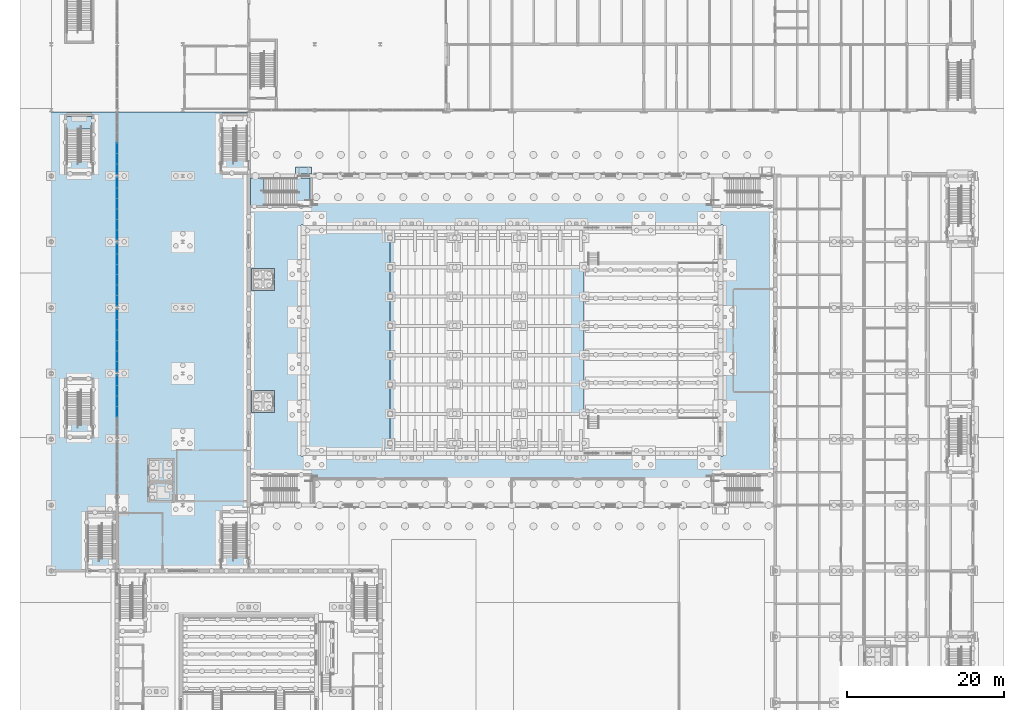
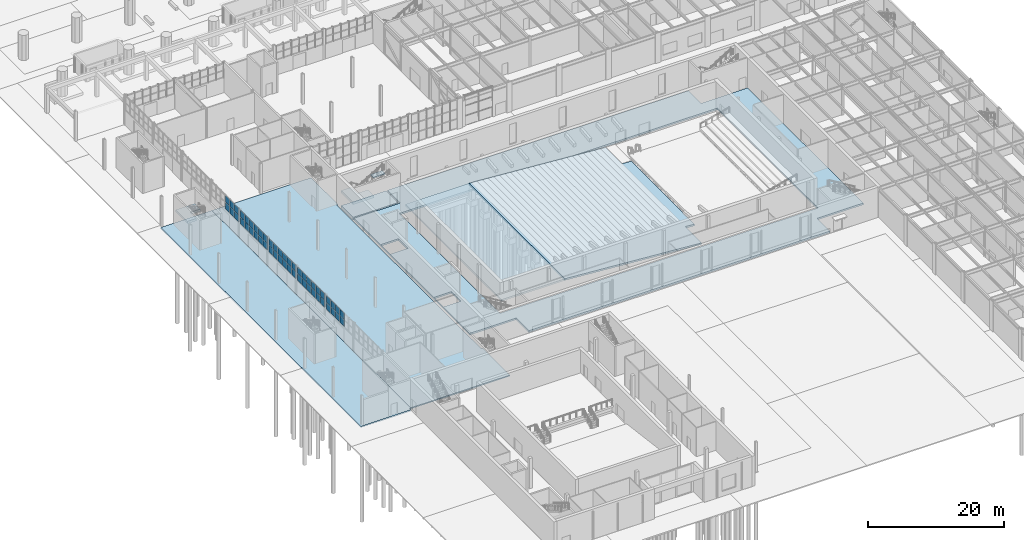
# One storey, part 49 of 127: 50 plates, 9 slabs, 7 elements without a shape of their own.
"""IFC4 building model written with IfcOpenShell, lengths in metres."""

from ifc_helpers import new_model, si_unit, direction, frame, origin, origin_2d, place, context, subcontext, project, spatial, polyline, rectangle, outline, extrude, material, layer, layer_set, type_object, element, aggregate, save


model = new_model("IFC4")

# Units and contexts
model_context = context("Model", 3, precision=1e-05, world=origin(), true_north=direction((0.0, 1.0)))
body_context = subcontext(model_context, "Body", "Model", "MODEL_VIEW")
ifc_project = project(units=[si_unit("LENGTHUNIT", "METRE"), si_unit("AREAUNIT", "SQUARE_METRE"), si_unit("VOLUMEUNIT", "CUBIC_METRE"), si_unit("PLANEANGLEUNIT", "RADIAN"), si_unit("MASSUNIT", "GRAM", prefix="KILO")], contexts=[model_context])

# Site, building, storey
site_placement = place(None, origin())
site = spatial("IfcSite", under=ifc_project, at=site_placement, CompositionType="ELEMENT")
building_placement = place(site_placement, origin())
building = spatial("IfcBuilding", under=site, at=building_placement, Name="Ljudholm Concert House", CompositionType="ELEMENT")
storey_placement = place(building_placement, origin())
storey = spatial("IfcBuildingStorey", under=building, at=storey_placement, Name="L00", CompositionType="ELEMENT", Elevation=0.0)

# Slab
ifc_material_1 = material(Name="Aluminium extrusion with warm-tone PVDF finish", Category="aluminium")
ifc_layer_1 = layer(ifc_material_1, 0.1201171875)
ifc_layer_set_1 = layer_set([ifc_layer_1], Name="Aluminium extrusion with warm-tone PVDF finish")
slab_type_1 = type_object("IfcSlabType", Name="CANOPY SOFFIT SLAB 120", PredefinedType="ROOF", material=ifc_layer_set_1)
slab_1_placement = place(storey_placement, frame((0.0, 0.0, 2.60009765625)))
element("IfcSlab", 1, at=slab_1_placement, inside=storey, type_object=slab_type_1, Name="Exit canopy lip", PredefinedType="ROOF", context=body_context, shape_type="SweptSolid", body=[
    extrude(outline(polyline([(35.199951171875, 96.64990234375), (37.199951171875, 96.64990234375), (37.199951171875, 97.550048828125), (35.199951171875, 97.550048828125), (35.199951171875, 96.64990234375)])), origin(), (0.0, 0.0, 1.0), 0.119873046875),
])

# Curtain wall, plates
ifc_material_2 = material(Name="Aluminium curtain wall with impact-rated laminated glass", Category="aluminium")
curtain_wall_type = type_object("IfcCurtainWallType", Name="CURTAIN WALL 1400", PredefinedType="NOTDEFINED", material=ifc_material_2)
curtain_wall_1_placement = place(storey_placement, origin())
curtain_wall_1 = element("IfcCurtainWall", 2, at=curtain_wall_1_placement, inside=storey, type_object=curtain_wall_type, Name="Foyer curtain wall", PredefinedType="NOTDEFINED")
ifc_material_3 = material(Name="Impact-rated laminated glass", Category="glass")
ifc_layer_2 = layer(ifc_material_3, 0.028076171875)
ifc_layer_set_2 = layer_set([ifc_layer_2], Name="Impact-rated laminated glass")
plate_type = type_object("IfcPlateType", Name="CURTAIN PANEL 28", PredefinedType="CURTAIN_PANEL", material=ifc_layer_set_2)
plate_1_placement = place(storey_placement, frame((12.39990234375, 66.3310546875, 2.760009765625), z_axis=(0.0, 0.0, 1.0), x_axis=(0.0, 1.0, 0.0)))
plate_1 = element("IfcPlate", 3, at=plate_1_placement, type_object=plate_type, Name="Curtain wall panel", PredefinedType="CURTAIN_PANEL", context=body_context, shape_type="SweptSolid", body=[
    extrude(rectangle(XDim=1.27783203125, YDim=0.028076171875, at=origin_2d()), origin(), (0.0, 0.0, 1.0), 1.169921875),
])
plate_2_placement = place(storey_placement, frame((12.39990234375, 66.3310546875, 3.989990234375), z_axis=(0.0, 0.0, 1.0), x_axis=(0.0, 1.0, 0.0)))
plate_2 = element("IfcPlate", 4, at=plate_2_placement, type_object=plate_type, Name="Curtain wall panel", PredefinedType="CURTAIN_PANEL", context=body_context, shape_type="SweptSolid", body=[
    extrude(rectangle(XDim=1.27783203125, YDim=0.028076171875, at=origin_2d()), origin(), (0.0, 0.0, 1.0), 1.169921875),
])
plate_3_placement = place(storey_placement, frame((12.39990234375, 67.6689453125, 2.760009765625), z_axis=(0.0, 0.0, 1.0), x_axis=(0.0, 1.0, 0.0)))
plate_3 = element("IfcPlate", 5, at=plate_3_placement, type_object=plate_type, Name="Curtain wall panel", PredefinedType="CURTAIN_PANEL", context=body_context, shape_type="SweptSolid", body=[
    extrude(rectangle(XDim=1.27783203125, YDim=0.028076171875, at=origin_2d()), origin(), (0.0, 0.0, 1.0), 1.169921875),
])
plate_4_placement = place(storey_placement, frame((12.39990234375, 67.6689453125, 3.989990234375), z_axis=(0.0, 0.0, 1.0), x_axis=(0.0, 1.0, 0.0)))
plate_4 = element("IfcPlate", 6, at=plate_4_placement, type_object=plate_type, Name="Curtain wall panel", PredefinedType="CURTAIN_PANEL", context=body_context, shape_type="SweptSolid", body=[
    extrude(rectangle(XDim=1.27783203125, YDim=0.028076171875, at=origin_2d()), origin(), (0.0, 0.0, 1.0), 1.169921875),
])
plate_5_placement = place(storey_placement, frame((12.39990234375, 69.006591796875, 2.760009765625), z_axis=(0.0, 0.0, 1.0), x_axis=(0.0, 1.0, 0.0)))
plate_5 = element("IfcPlate", 7, at=plate_5_placement, type_object=plate_type, Name="Curtain wall panel", PredefinedType="CURTAIN_PANEL", context=body_context, shape_type="SweptSolid", body=[
    extrude(rectangle(XDim=1.27783203125, YDim=0.028076171875, at=origin_2d()), origin(), (0.0, 0.0, 1.0), 1.169921875),
])
plate_6_placement = place(storey_placement, frame((12.39990234375, 69.006591796875, 3.989990234375), z_axis=(0.0, 0.0, 1.0), x_axis=(0.0, 1.0, 0.0)))
plate_6 = element("IfcPlate", 8, at=plate_6_placement, type_object=plate_type, Name="Curtain wall panel", PredefinedType="CURTAIN_PANEL", context=body_context, shape_type="SweptSolid", body=[
    extrude(rectangle(XDim=1.27783203125, YDim=0.028076171875, at=origin_2d()), origin(), (0.0, 0.0, 1.0), 1.169921875),
])
plate_7_placement = place(storey_placement, frame((12.39990234375, 70.329345703125, 2.760009765625), z_axis=(0.0, 0.0, 1.0), x_axis=(0.0, 1.0, 0.0)))
plate_7 = element("IfcPlate", 9, at=plate_7_placement, type_object=plate_type, Name="Curtain wall panel", PredefinedType="CURTAIN_PANEL", context=body_context, shape_type="SweptSolid", body=[
    extrude(rectangle(XDim=1.247802734375, YDim=0.028076171875, at=origin_2d()), origin(), (0.0, 0.0, 1.0), 1.169921875),
])
plate_8_placement = place(storey_placement, frame((12.39990234375, 70.329345703125, 3.989990234375), z_axis=(0.0, 0.0, 1.0), x_axis=(0.0, 1.0, 0.0)))
plate_8 = element("IfcPlate", 10, at=plate_8_placement, type_object=plate_type, Name="Curtain wall panel", PredefinedType="CURTAIN_PANEL", context=body_context, shape_type="SweptSolid", body=[
    extrude(rectangle(XDim=1.247802734375, YDim=0.028076171875, at=origin_2d()), origin(), (0.0, 0.0, 1.0), 1.169921875),
])
aggregate(curtain_wall_1, [plate_1, plate_2, plate_3, plate_4, plate_5, plate_6, plate_7, plate_8])

curtain_wall_2_placement = place(storey_placement, origin())
curtain_wall_2 = element("IfcCurtainWall", 11, at=curtain_wall_2_placement, inside=storey, type_object=curtain_wall_type, Name="Foyer curtain wall", PredefinedType="NOTDEFINED")
plate_9_placement = place(storey_placement, frame((12.39990234375, 72.070556640625, 2.760009765625), z_axis=(0.0, 0.0, 1.0), x_axis=(0.0, 1.0, 0.0)))
plate_9 = element("IfcPlate", 12, at=plate_9_placement, type_object=plate_type, Name="Curtain wall panel", PredefinedType="CURTAIN_PANEL", context=body_context, shape_type="SweptSolid", body=[
    extrude(rectangle(XDim=1.247802734375, YDim=0.028076171875, at=origin_2d()), origin(), (0.0, 0.0, 1.0), 1.169921875),
])
plate_10_placement = place(storey_placement, frame((12.39990234375, 72.070556640625, 3.989990234375), z_axis=(0.0, 0.0, 1.0), x_axis=(0.0, 1.0, 0.0)))
plate_10 = element("IfcPlate", 13, at=plate_10_placement, type_object=plate_type, Name="Curtain wall panel", PredefinedType="CURTAIN_PANEL", context=body_context, shape_type="SweptSolid", body=[
    extrude(rectangle(XDim=1.247802734375, YDim=0.028076171875, at=origin_2d()), origin(), (0.0, 0.0, 1.0), 1.169921875),
])
plate_11_placement = place(storey_placement, frame((12.39990234375, 73.393310546875, 2.760009765625), z_axis=(0.0, 0.0, 1.0), x_axis=(0.0, 1.0, 0.0)))
plate_11 = element("IfcPlate", 14, at=plate_11_placement, type_object=plate_type, Name="Curtain wall panel", PredefinedType="CURTAIN_PANEL", context=body_context, shape_type="SweptSolid", body=[
    extrude(rectangle(XDim=1.27783203125, YDim=0.028076171875, at=origin_2d()), origin(), (0.0, 0.0, 1.0), 1.169921875),
])
plate_12_placement = place(storey_placement, frame((12.39990234375, 73.393310546875, 3.989990234375), z_axis=(0.0, 0.0, 1.0), x_axis=(0.0, 1.0, 0.0)))
plate_12 = element("IfcPlate", 15, at=plate_12_placement, type_object=plate_type, Name="Curtain wall panel", PredefinedType="CURTAIN_PANEL", context=body_context, shape_type="SweptSolid", body=[
    extrude(rectangle(XDim=1.27783203125, YDim=0.028076171875, at=origin_2d()), origin(), (0.0, 0.0, 1.0), 1.169921875),
])
plate_13_placement = place(storey_placement, frame((12.39990234375, 74.731201171875, 2.760009765625), z_axis=(0.0, 0.0, 1.0), x_axis=(0.0, 1.0, 0.0)))
plate_13 = element("IfcPlate", 16, at=plate_13_placement, type_object=plate_type, Name="Curtain wall panel", PredefinedType="CURTAIN_PANEL", context=body_context, shape_type="SweptSolid", body=[
    extrude(rectangle(XDim=1.27783203125, YDim=0.028076171875, at=origin_2d()), origin(), (0.0, 0.0, 1.0), 1.169921875),
])
plate_14_placement = place(storey_placement, frame((12.39990234375, 74.731201171875, 3.989990234375), z_axis=(0.0, 0.0, 1.0), x_axis=(0.0, 1.0, 0.0)))
plate_14 = element("IfcPlate", 17, at=plate_14_placement, type_object=plate_type, Name="Curtain wall panel", PredefinedType="CURTAIN_PANEL", context=body_context, shape_type="SweptSolid", body=[
    extrude(rectangle(XDim=1.27783203125, YDim=0.028076171875, at=origin_2d()), origin(), (0.0, 0.0, 1.0), 1.169921875),
])
plate_15_placement = place(storey_placement, frame((12.39990234375, 76.06884765625, 2.760009765625), z_axis=(0.0, 0.0, 1.0), x_axis=(0.0, 1.0, 0.0)))
plate_15 = element("IfcPlate", 18, at=plate_15_placement, type_object=plate_type, Name="Curtain wall panel", PredefinedType="CURTAIN_PANEL", context=body_context, shape_type="SweptSolid", body=[
    extrude(rectangle(XDim=1.27783203125, YDim=0.028076171875, at=origin_2d()), origin(), (0.0, 0.0, 1.0), 1.169921875),
])
plate_16_placement = place(storey_placement, frame((12.39990234375, 76.06884765625, 3.989990234375), z_axis=(0.0, 0.0, 1.0), x_axis=(0.0, 1.0, 0.0)))
plate_16 = element("IfcPlate", 19, at=plate_16_placement, type_object=plate_type, Name="Curtain wall panel", PredefinedType="CURTAIN_PANEL", context=body_context, shape_type="SweptSolid", body=[
    extrude(rectangle(XDim=1.27783203125, YDim=0.028076171875, at=origin_2d()), origin(), (0.0, 0.0, 1.0), 1.169921875),
])
plate_17_placement = place(storey_placement, frame((12.39990234375, 77.40673828125, 2.760009765625), z_axis=(0.0, 0.0, 1.0), x_axis=(0.0, 1.0, 0.0)))
plate_17 = element("IfcPlate", 20, at=plate_17_placement, type_object=plate_type, Name="Curtain wall panel", PredefinedType="CURTAIN_PANEL", context=body_context, shape_type="SweptSolid", body=[
    extrude(rectangle(XDim=1.27783203125, YDim=0.028076171875, at=origin_2d()), origin(), (0.0, 0.0, 1.0), 1.169921875),
])
plate_18_placement = place(storey_placement, frame((12.39990234375, 77.40673828125, 3.989990234375), z_axis=(0.0, 0.0, 1.0), x_axis=(0.0, 1.0, 0.0)))
plate_18 = element("IfcPlate", 21, at=plate_18_placement, type_object=plate_type, Name="Curtain wall panel", PredefinedType="CURTAIN_PANEL", context=body_context, shape_type="SweptSolid", body=[
    extrude(rectangle(XDim=1.27783203125, YDim=0.028076171875, at=origin_2d()), origin(), (0.0, 0.0, 1.0), 1.169921875),
])
plate_19_placement = place(storey_placement, frame((12.39990234375, 78.7294921875, 2.760009765625), z_axis=(0.0, 0.0, 1.0), x_axis=(0.0, 1.0, 0.0)))
plate_19 = element("IfcPlate", 22, at=plate_19_placement, type_object=plate_type, Name="Curtain wall panel", PredefinedType="CURTAIN_PANEL", context=body_context, shape_type="SweptSolid", body=[
    extrude(rectangle(XDim=1.247802734375, YDim=0.028076171875, at=origin_2d()), origin(), (0.0, 0.0, 1.0), 1.169921875),
])
plate_20_placement = place(storey_placement, frame((12.39990234375, 78.7294921875, 3.989990234375), z_axis=(0.0, 0.0, 1.0), x_axis=(0.0, 1.0, 0.0)))
plate_20 = element("IfcPlate", 23, at=plate_20_placement, type_object=plate_type, Name="Curtain wall panel", PredefinedType="CURTAIN_PANEL", context=body_context, shape_type="SweptSolid", body=[
    extrude(rectangle(XDim=1.247802734375, YDim=0.028076171875, at=origin_2d()), origin(), (0.0, 0.0, 1.0), 1.169921875),
])
aggregate(curtain_wall_2, [plate_9, plate_10, plate_11, plate_12, plate_13, plate_14, plate_15, plate_16, plate_17, plate_18, plate_19, plate_20])

curtain_wall_3_placement = place(storey_placement, origin())
curtain_wall_3 = element("IfcCurtainWall", 24, at=curtain_wall_3_placement, inside=storey, type_object=curtain_wall_type, Name="Foyer curtain wall", PredefinedType="NOTDEFINED")
plate_21_placement = place(storey_placement, frame((12.39990234375, 80.470458984375, 2.760009765625), z_axis=(0.0, 0.0, 1.0), x_axis=(0.0, 1.0, 0.0)))
plate_21 = element("IfcPlate", 25, at=plate_21_placement, type_object=plate_type, Name="Curtain wall panel", PredefinedType="CURTAIN_PANEL", context=body_context, shape_type="SweptSolid", body=[
    extrude(rectangle(XDim=1.247802734375, YDim=0.028076171875, at=origin_2d()), origin(), (0.0, 0.0, 1.0), 1.169921875),
])
plate_22_placement = place(storey_placement, frame((12.39990234375, 80.470458984375, 3.989990234375), z_axis=(0.0, 0.0, 1.0), x_axis=(0.0, 1.0, 0.0)))
plate_22 = element("IfcPlate", 26, at=plate_22_placement, type_object=plate_type, Name="Curtain wall panel", PredefinedType="CURTAIN_PANEL", context=body_context, shape_type="SweptSolid", body=[
    extrude(rectangle(XDim=1.247802734375, YDim=0.028076171875, at=origin_2d()), origin(), (0.0, 0.0, 1.0), 1.169921875),
])
plate_23_placement = place(storey_placement, frame((12.39990234375, 81.79345703125, 2.760009765625), z_axis=(0.0, 0.0, 1.0), x_axis=(0.0, 1.0, 0.0)))
plate_23 = element("IfcPlate", 27, at=plate_23_placement, type_object=plate_type, Name="Curtain wall panel", PredefinedType="CURTAIN_PANEL", context=body_context, shape_type="SweptSolid", body=[
    extrude(rectangle(XDim=1.27783203125, YDim=0.028076171875, at=origin_2d()), origin(), (0.0, 0.0, 1.0), 1.169921875),
])
plate_24_placement = place(storey_placement, frame((12.39990234375, 81.79345703125, 3.989990234375), z_axis=(0.0, 0.0, 1.0), x_axis=(0.0, 1.0, 0.0)))
plate_24 = element("IfcPlate", 28, at=plate_24_placement, type_object=plate_type, Name="Curtain wall panel", PredefinedType="CURTAIN_PANEL", context=body_context, shape_type="SweptSolid", body=[
    extrude(rectangle(XDim=1.27783203125, YDim=0.028076171875, at=origin_2d()), origin(), (0.0, 0.0, 1.0), 1.169921875),
])
plate_25_placement = place(storey_placement, frame((12.39990234375, 83.131103515625, 2.760009765625), z_axis=(0.0, 0.0, 1.0), x_axis=(0.0, 1.0, 0.0)))
plate_25 = element("IfcPlate", 29, at=plate_25_placement, type_object=plate_type, Name="Curtain wall panel", PredefinedType="CURTAIN_PANEL", context=body_context, shape_type="SweptSolid", body=[
    extrude(rectangle(XDim=1.27783203125, YDim=0.028076171875, at=origin_2d()), origin(), (0.0, 0.0, 1.0), 1.169921875),
])
plate_26_placement = place(storey_placement, frame((12.39990234375, 83.131103515625, 3.989990234375), z_axis=(0.0, 0.0, 1.0), x_axis=(0.0, 1.0, 0.0)))
plate_26 = element("IfcPlate", 30, at=plate_26_placement, type_object=plate_type, Name="Curtain wall panel", PredefinedType="CURTAIN_PANEL", context=body_context, shape_type="SweptSolid", body=[
    extrude(rectangle(XDim=1.27783203125, YDim=0.028076171875, at=origin_2d()), origin(), (0.0, 0.0, 1.0), 1.169921875),
])
plate_27_placement = place(storey_placement, frame((12.39990234375, 84.468994140625, 2.760009765625), z_axis=(0.0, 0.0, 1.0), x_axis=(0.0, 1.0, 0.0)))
plate_27 = element("IfcPlate", 31, at=plate_27_placement, type_object=plate_type, Name="Curtain wall panel", PredefinedType="CURTAIN_PANEL", context=body_context, shape_type="SweptSolid", body=[
    extrude(rectangle(XDim=1.27783203125, YDim=0.028076171875, at=origin_2d()), origin(), (0.0, 0.0, 1.0), 1.169921875),
])
plate_28_placement = place(storey_placement, frame((12.39990234375, 84.468994140625, 3.989990234375), z_axis=(0.0, 0.0, 1.0), x_axis=(0.0, 1.0, 0.0)))
plate_28 = element("IfcPlate", 32, at=plate_28_placement, type_object=plate_type, Name="Curtain wall panel", PredefinedType="CURTAIN_PANEL", context=body_context, shape_type="SweptSolid", body=[
    extrude(rectangle(XDim=1.27783203125, YDim=0.028076171875, at=origin_2d()), origin(), (0.0, 0.0, 1.0), 1.169921875),
])
plate_29_placement = place(storey_placement, frame((12.39990234375, 85.806640625, 2.760009765625), z_axis=(0.0, 0.0, 1.0), x_axis=(0.0, 1.0, 0.0)))
plate_29 = element("IfcPlate", 33, at=plate_29_placement, type_object=plate_type, Name="Curtain wall panel", PredefinedType="CURTAIN_PANEL", context=body_context, shape_type="SweptSolid", body=[
    extrude(rectangle(XDim=1.27783203125, YDim=0.028076171875, at=origin_2d()), origin(), (0.0, 0.0, 1.0), 1.169921875),
])
plate_30_placement = place(storey_placement, frame((12.39990234375, 85.806640625, 3.989990234375), z_axis=(0.0, 0.0, 1.0), x_axis=(0.0, 1.0, 0.0)))
plate_30 = element("IfcPlate", 34, at=plate_30_placement, type_object=plate_type, Name="Curtain wall panel", PredefinedType="CURTAIN_PANEL", context=body_context, shape_type="SweptSolid", body=[
    extrude(rectangle(XDim=1.27783203125, YDim=0.028076171875, at=origin_2d()), origin(), (0.0, 0.0, 1.0), 1.169921875),
])
plate_31_placement = place(storey_placement, frame((12.39990234375, 87.12939453125, 2.760009765625), z_axis=(0.0, 0.0, 1.0), x_axis=(0.0, 1.0, 0.0)))
plate_31 = element("IfcPlate", 35, at=plate_31_placement, type_object=plate_type, Name="Curtain wall panel", PredefinedType="CURTAIN_PANEL", context=body_context, shape_type="SweptSolid", body=[
    extrude(rectangle(XDim=1.247802734375, YDim=0.028076171875, at=origin_2d()), origin(), (0.0, 0.0, 1.0), 1.169921875),
])
plate_32_placement = place(storey_placement, frame((12.39990234375, 87.12939453125, 3.989990234375), z_axis=(0.0, 0.0, 1.0), x_axis=(0.0, 1.0, 0.0)))
plate_32 = element("IfcPlate", 36, at=plate_32_placement, type_object=plate_type, Name="Curtain wall panel", PredefinedType="CURTAIN_PANEL", context=body_context, shape_type="SweptSolid", body=[
    extrude(rectangle(XDim=1.247802734375, YDim=0.028076171875, at=origin_2d()), origin(), (0.0, 0.0, 1.0), 1.169921875),
])
aggregate(curtain_wall_3, [plate_21, plate_22, plate_23, plate_24, plate_25, plate_26, plate_27, plate_28, plate_29, plate_30, plate_31, plate_32])

curtain_wall_4_placement = place(storey_placement, origin())
curtain_wall_4 = element("IfcCurtainWall", 37, at=curtain_wall_4_placement, inside=storey, type_object=curtain_wall_type, Name="Foyer curtain wall", PredefinedType="NOTDEFINED")
plate_33_placement = place(storey_placement, frame((12.39990234375, 88.87060546875, 2.760009765625), z_axis=(0.0, 0.0, 1.0), x_axis=(0.0, 1.0, 0.0)))
plate_33 = element("IfcPlate", 38, at=plate_33_placement, type_object=plate_type, Name="Curtain wall panel", PredefinedType="CURTAIN_PANEL", context=body_context, shape_type="SweptSolid", body=[
    extrude(rectangle(XDim=1.247802734375, YDim=0.028076171875, at=origin_2d()), origin(), (0.0, 0.0, 1.0), 1.169921875),
])
plate_34_placement = place(storey_placement, frame((12.39990234375, 88.87060546875, 3.989990234375), z_axis=(0.0, 0.0, 1.0), x_axis=(0.0, 1.0, 0.0)))
plate_34 = element("IfcPlate", 39, at=plate_34_placement, type_object=plate_type, Name="Curtain wall panel", PredefinedType="CURTAIN_PANEL", context=body_context, shape_type="SweptSolid", body=[
    extrude(rectangle(XDim=1.247802734375, YDim=0.028076171875, at=origin_2d()), origin(), (0.0, 0.0, 1.0), 1.169921875),
])
plate_35_placement = place(storey_placement, frame((12.39990234375, 90.193359375, 2.760009765625), z_axis=(0.0, 0.0, 1.0), x_axis=(0.0, 1.0, 0.0)))
plate_35 = element("IfcPlate", 40, at=plate_35_placement, type_object=plate_type, Name="Curtain wall panel", PredefinedType="CURTAIN_PANEL", context=body_context, shape_type="SweptSolid", body=[
    extrude(rectangle(XDim=1.27783203125, YDim=0.028076171875, at=origin_2d()), origin(), (0.0, 0.0, 1.0), 1.169921875),
])
plate_36_placement = place(storey_placement, frame((12.39990234375, 90.193359375, 3.989990234375), z_axis=(0.0, 0.0, 1.0), x_axis=(0.0, 1.0, 0.0)))
plate_36 = element("IfcPlate", 41, at=plate_36_placement, type_object=plate_type, Name="Curtain wall panel", PredefinedType="CURTAIN_PANEL", context=body_context, shape_type="SweptSolid", body=[
    extrude(rectangle(XDim=1.27783203125, YDim=0.028076171875, at=origin_2d()), origin(), (0.0, 0.0, 1.0), 1.169921875),
])
plate_37_placement = place(storey_placement, frame((12.39990234375, 91.531005859375, 2.760009765625), z_axis=(0.0, 0.0, 1.0), x_axis=(0.0, 1.0, 0.0)))
plate_37 = element("IfcPlate", 42, at=plate_37_placement, type_object=plate_type, Name="Curtain wall panel", PredefinedType="CURTAIN_PANEL", context=body_context, shape_type="SweptSolid", body=[
    extrude(rectangle(XDim=1.27783203125, YDim=0.028076171875, at=origin_2d()), origin(), (0.0, 0.0, 1.0), 1.169921875),
])
plate_38_placement = place(storey_placement, frame((12.39990234375, 91.531005859375, 3.989990234375), z_axis=(0.0, 0.0, 1.0), x_axis=(0.0, 1.0, 0.0)))
plate_38 = element("IfcPlate", 43, at=plate_38_placement, type_object=plate_type, Name="Curtain wall panel", PredefinedType="CURTAIN_PANEL", context=body_context, shape_type="SweptSolid", body=[
    extrude(rectangle(XDim=1.27783203125, YDim=0.028076171875, at=origin_2d()), origin(), (0.0, 0.0, 1.0), 1.169921875),
])
plate_39_placement = place(storey_placement, frame((12.39990234375, 92.868896484375, 2.760009765625), z_axis=(0.0, 0.0, 1.0), x_axis=(0.0, 1.0, 0.0)))
plate_39 = element("IfcPlate", 44, at=plate_39_placement, type_object=plate_type, Name="Curtain wall panel", PredefinedType="CURTAIN_PANEL", context=body_context, shape_type="SweptSolid", body=[
    extrude(rectangle(XDim=1.27783203125, YDim=0.028076171875, at=origin_2d()), origin(), (0.0, 0.0, 1.0), 1.169921875),
])
plate_40_placement = place(storey_placement, frame((12.39990234375, 92.868896484375, 3.989990234375), z_axis=(0.0, 0.0, 1.0), x_axis=(0.0, 1.0, 0.0)))
plate_40 = element("IfcPlate", 45, at=plate_40_placement, type_object=plate_type, Name="Curtain wall panel", PredefinedType="CURTAIN_PANEL", context=body_context, shape_type="SweptSolid", body=[
    extrude(rectangle(XDim=1.27783203125, YDim=0.028076171875, at=origin_2d()), origin(), (0.0, 0.0, 1.0), 1.169921875),
])
plate_41_placement = place(storey_placement, frame((12.39990234375, 94.20654296875, 2.760009765625), z_axis=(0.0, 0.0, 1.0), x_axis=(0.0, 1.0, 0.0)))
plate_41 = element("IfcPlate", 46, at=plate_41_placement, type_object=plate_type, Name="Curtain wall panel", PredefinedType="CURTAIN_PANEL", context=body_context, shape_type="SweptSolid", body=[
    extrude(rectangle(XDim=1.27783203125, YDim=0.028076171875, at=origin_2d()), origin(), (0.0, 0.0, 1.0), 1.169921875),
])
plate_42_placement = place(storey_placement, frame((12.39990234375, 94.20654296875, 3.989990234375), z_axis=(0.0, 0.0, 1.0), x_axis=(0.0, 1.0, 0.0)))
plate_42 = element("IfcPlate", 47, at=plate_42_placement, type_object=plate_type, Name="Curtain wall panel", PredefinedType="CURTAIN_PANEL", context=body_context, shape_type="SweptSolid", body=[
    extrude(rectangle(XDim=1.27783203125, YDim=0.028076171875, at=origin_2d()), origin(), (0.0, 0.0, 1.0), 1.169921875),
])
plate_43_placement = place(storey_placement, frame((12.39990234375, 95.529541015625, 2.760009765625), z_axis=(0.0, 0.0, 1.0), x_axis=(0.0, 1.0, 0.0)))
plate_43 = element("IfcPlate", 48, at=plate_43_placement, type_object=plate_type, Name="Curtain wall panel", PredefinedType="CURTAIN_PANEL", context=body_context, shape_type="SweptSolid", body=[
    extrude(rectangle(XDim=1.247802734375, YDim=0.028076171875, at=origin_2d()), origin(), (0.0, 0.0, 1.0), 1.169921875),
])
plate_44_placement = place(storey_placement, frame((12.39990234375, 95.529541015625, 3.989990234375), z_axis=(0.0, 0.0, 1.0), x_axis=(0.0, 1.0, 0.0)))
plate_44 = element("IfcPlate", 49, at=plate_44_placement, type_object=plate_type, Name="Curtain wall panel", PredefinedType="CURTAIN_PANEL", context=body_context, shape_type="SweptSolid", body=[
    extrude(rectangle(XDim=1.247802734375, YDim=0.028076171875, at=origin_2d()), origin(), (0.0, 0.0, 1.0), 1.169921875),
])
aggregate(curtain_wall_4, [plate_33, plate_34, plate_35, plate_36, plate_37, plate_38, plate_39, plate_40, plate_41, plate_42, plate_43, plate_44])

curtain_wall_5_placement = place(storey_placement, origin())
curtain_wall_5 = element("IfcCurtainWall", 50, at=curtain_wall_5_placement, inside=storey, type_object=curtain_wall_type, Name="Foyer curtain wall", PredefinedType="NOTDEFINED")
plate_45_placement = place(storey_placement, frame((12.39990234375, 97.2705078125, 2.760009765625), z_axis=(0.0, 0.0, 1.0), x_axis=(0.0, 1.0, 0.0)))
plate_45 = element("IfcPlate", 51, at=plate_45_placement, type_object=plate_type, Name="Curtain wall panel", PredefinedType="CURTAIN_PANEL", context=body_context, shape_type="SweptSolid", body=[
    extrude(rectangle(XDim=1.247802734375, YDim=0.028076171875, at=origin_2d()), origin(), (0.0, 0.0, 1.0), 1.169921875),
])
plate_46_placement = place(storey_placement, frame((12.39990234375, 97.2705078125, 3.989990234375), z_axis=(0.0, 0.0, 1.0), x_axis=(0.0, 1.0, 0.0)))
plate_46 = element("IfcPlate", 52, at=plate_46_placement, type_object=plate_type, Name="Curtain wall panel", PredefinedType="CURTAIN_PANEL", context=body_context, shape_type="SweptSolid", body=[
    extrude(rectangle(XDim=1.247802734375, YDim=0.028076171875, at=origin_2d()), origin(), (0.0, 0.0, 1.0), 1.169921875),
])
plate_47_placement = place(storey_placement, frame((12.39990234375, 98.59326171875, 2.760009765625), z_axis=(0.0, 0.0, 1.0), x_axis=(0.0, 1.0, 0.0)))
plate_47 = element("IfcPlate", 53, at=plate_47_placement, type_object=plate_type, Name="Curtain wall panel", PredefinedType="CURTAIN_PANEL", context=body_context, shape_type="SweptSolid", body=[
    extrude(rectangle(XDim=1.27783203125, YDim=0.028076171875, at=origin_2d()), origin(), (0.0, 0.0, 1.0), 1.169921875),
])
plate_48_placement = place(storey_placement, frame((12.39990234375, 98.59326171875, 3.989990234375), z_axis=(0.0, 0.0, 1.0), x_axis=(0.0, 1.0, 0.0)))
plate_48 = element("IfcPlate", 54, at=plate_48_placement, type_object=plate_type, Name="Curtain wall panel", PredefinedType="CURTAIN_PANEL", context=body_context, shape_type="SweptSolid", body=[
    extrude(rectangle(XDim=1.27783203125, YDim=0.028076171875, at=origin_2d()), origin(), (0.0, 0.0, 1.0), 1.169921875),
])
plate_49_placement = place(storey_placement, frame((12.39990234375, 99.93115234375, 2.760009765625), z_axis=(0.0, 0.0, 1.0), x_axis=(0.0, 1.0, 0.0)))
plate_49 = element("IfcPlate", 55, at=plate_49_placement, type_object=plate_type, Name="Curtain wall panel", PredefinedType="CURTAIN_PANEL", context=body_context, shape_type="SweptSolid", body=[
    extrude(rectangle(XDim=1.27783203125, YDim=0.028076171875, at=origin_2d()), origin(), (0.0, 0.0, 1.0), 1.169921875),
])
plate_50_placement = place(storey_placement, frame((12.39990234375, 99.93115234375, 3.989990234375), z_axis=(0.0, 0.0, 1.0), x_axis=(0.0, 1.0, 0.0)))
plate_50 = element("IfcPlate", 56, at=plate_50_placement, type_object=plate_type, Name="Curtain wall panel", PredefinedType="CURTAIN_PANEL", context=body_context, shape_type="SweptSolid", body=[
    extrude(rectangle(XDim=1.27783203125, YDim=0.028076171875, at=origin_2d()), origin(), (0.0, 0.0, 1.0), 1.169921875),
])
aggregate(curtain_wall_5, [plate_45, plate_46, plate_47, plate_48, plate_49, plate_50])

# Slabs
ifc_material_4 = material(Name="Concrete 5,000 psi", Category="concrete")
ifc_layer_3 = layer(ifc_material_4, 0.300048828125)
ifc_layer_set_3 = layer_set([ifc_layer_3], Name="Concrete 5,000 psi")
slab_type_2 = type_object("IfcSlabType", Name="RAKED TIER SLAB 300", PredefinedType="USERDEFINED", material=ifc_layer_set_3)
slab_2_placement = place(storey_placement, frame((70.39990234375, 61.300048828125, 0.116455078125), z_axis=(0.072536520306, 0.0, 0.997365756993), x_axis=(-0.997365756993, 0.0, 0.072536520306)))
element("IfcSlab", 57, at=slab_2_placement, inside=storey, type_object=slab_type_2, Name="Stand Stalls 1", ObjectType="SEATING TIER", PredefinedType="USERDEFINED", context=body_context, shape_type="SweptSolid", body=[
    extrude(outline(polyline([(0.0, 0.0), (23.211041907618426, 0.0), (23.211041907618426, -28.199951171875), (0.0, -28.199951171875), (0.0, -23.39990234375), (-1.6043298563273982, -23.39990234375), (-1.6043298563273982, -4.800048828125), (0.0, -4.800048828125), (0.0, 0.0)])), origin(), (0.0, 0.0, -1.0), 0.300048828125),
])
ifc_material_5 = material(Name="Concrete 5,000 psi", Category="concrete")
ifc_layer_4 = layer(ifc_material_5, 0.199951171875)
ifc_layer_set_4 = layer_set([ifc_layer_4], Name="Concrete 5,000 psi")
slab_type_3 = type_object("IfcSlabType", Name="RC BASE SLAB 200", PredefinedType="BASESLAB", material=ifc_layer_set_4)
slab_3_placement = place(storey_placement, frame((0.0, 0.0, -0.199951171875)))
element("IfcSlab", 58, at=slab_3_placement, inside=storey, type_object=slab_type_3, Name="Ground floor slab", PredefinedType="BASESLAB", context=body_context, shape_type="SweptSolid", body=[
    extrude(outline(polyline([(29.199951171875, 104.550048828125), (12.39990234375, 104.550048828125), (12.39990234375, 46.22509765625), (29.199951171875, 46.22509765625), (29.199951171875, 54.14990234375), (28.949951171875, 54.14990234375), (28.949951171875, 96.64990234375), (29.199951171875, 96.64990234375), (29.199951171875, 104.550048828125)])), origin(), (0.0, 0.0, 1.0), 0.199951171875),
])
ifc_material_6 = material(Name="Concrete 5,000 psi", Category="concrete")
ifc_layer_5 = layer(ifc_material_6, 0.199951171875)
ifc_layer_set_5 = layer_set([ifc_layer_5], Name="Concrete 5,000 psi")
slab_type_4 = type_object("IfcSlabType", Name="RC BASE SLAB 200 EXTERNAL", PredefinedType="BASESLAB", material=ifc_layer_set_5)
slab_4_placement = place(storey_placement, frame((0.0, 0.0, -0.199951171875)))
element("IfcSlab", 59, at=slab_4_placement, inside=storey, type_object=slab_type_4, Name="Arcade paving", PredefinedType="BASESLAB", context=body_context, shape_type="SweptSolid", body=[
    extrude(outline(polyline([(12.14990234375, 45.75), (12.14990234375, 46.14990234375), (12.39990234375, 46.14990234375), (12.39990234375, 104.550048828125), (3.699951171875, 104.550048828125), (3.699951171875, 46.14990234375), (3.699951171875, 45.75), (12.14990234375, 45.75)])), origin(), (0.0, 0.0, 1.0), 0.199951171875),
])
ifc_material_7 = material(Name="Concrete 5,000 psi", Category="concrete")
ifc_layer_6 = layer(ifc_material_7, 0.300048828125)
ifc_layer_set_6 = layer_set([ifc_layer_6], Name="Concrete 5,000 psi")
slab_type_5 = type_object("IfcSlabType", Name="RC BASE SLAB 300", PredefinedType="BASESLAB", material=ifc_layer_set_6)
slab_5_placement = place(storey_placement, frame((0.0, 0.0, -0.300048828125)))
element("IfcSlab", 60, at=slab_5_placement, inside=storey, type_object=slab_type_5, Name="Ground slab of the ring", PredefinedType="BASESLAB", context=body_context, shape_type="SweptSolid", body=[
    extrude(outline(polyline([(96.14990234375, 58.39990234375), (88.300048828125, 58.39990234375), (88.300048828125, 58.14990234375), (88.300048828125, 54.64990234375), (37.300048828125, 54.64990234375), (37.300048828125, 58.14990234375), (37.300048828125, 58.39990234375), (29.449951171875, 58.39990234375), (29.449951171875, 92.39990234375), (37.300048828125, 92.39990234375), (37.300048828125, 92.64990234375), (37.300048828125, 96.14990234375), (88.300048828125, 96.14990234375), (88.300048828125, 92.64990234375), (88.300048828125, 92.39990234375), (96.14990234375, 92.39990234375), (96.14990234375, 58.39990234375)]), holes=[polyline([(32.47509765625, 69.0), (29.52490234375, 69.0), (29.52490234375, 66.199951171875), (32.47509765625, 66.199951171875), (32.47509765625, 69.0)]), polyline([(32.47509765625, 84.60009765625), (29.52490234375, 84.60009765625), (29.52490234375, 81.800048828125), (32.47509765625, 81.800048828125), (32.47509765625, 84.60009765625)]), polyline([(89.75, 90.14990234375), (35.85009765625, 90.14990234375), (35.85009765625, 60.64990234375), (89.75, 60.64990234375), (89.75, 90.14990234375)])]), origin(), (0.0, 0.0, 1.0), 0.300048828125),
])
ifc_material_8 = material(Name="Concrete 5,000 psi", Category="concrete")
ifc_layer_7 = layer(ifc_material_8, 0.5)
ifc_layer_set_7 = layer_set([ifc_layer_7], Name="Concrete 5,000 psi")
slab_type_6 = type_object("IfcSlabType", Name="RC BASE SLAB 500", PredefinedType="BASESLAB", material=ifc_layer_set_7)
slab_6_placement = place(storey_placement, frame((0.0, 0.0, -0.5)))
element("IfcSlab", 61, at=slab_6_placement, inside=storey, type_object=slab_type_6, Name="Stair floor on grade EH2", PredefinedType="BASESLAB", context=body_context, shape_type="SweptSolid", body=[
    extrude(outline(polyline([(29.449951171875, 92.64990234375), (37.050048828125, 92.64990234375), (37.050048828125, 96.14990234375), (29.449951171875, 96.14990234375), (29.449951171875, 92.64990234375)])), origin(), (0.0, 0.0, 1.0), 0.5),
])
ifc_material_9 = material(Name="Concrete 5,000 psi", Category="concrete")
ifc_layer_8 = layer(ifc_material_9, 0.300048828125)
ifc_layer_set_8 = layer_set([ifc_layer_8], Name="Concrete 5,000 psi")
slab_type_7 = type_object("IfcSlabType", Name="RC FLOOR SLAB 300", PredefinedType="FLOOR", material=ifc_layer_set_8)
slab_7_placement = place(storey_placement, frame((0.0, 0.0, 1.5)))
element("IfcSlab", 62, at=slab_7_placement, inside=storey, type_object=slab_type_7, Name="Rear stalls floor", PredefinedType="FLOOR", context=body_context, shape_type="SweptSolid", body=[
    extrude(outline(polyline([(36.5, 61.300048828125), (47.25, 61.300048828125), (47.25, 89.5), (36.5, 89.5), (36.5, 61.300048828125)])), origin(), (0.0, 0.0, 1.0), 0.300048828125),
])

# Stair, slab
ifc_material_10 = material(Name="Concrete 5,000 psi", Category="concrete")
stair_type_1 = type_object("IfcStairType", Name="RC STAIR 1700x169x280", PredefinedType="HALF_TURN_STAIR", material=ifc_material_10)
stair_1_placement = place(storey_placement, origin())
stair_1 = element("IfcStair", 63, at=stair_1_placement, inside=storey, type_object=stair_type_1, Name="Exit stair EH2", PredefinedType="HALF_TURN_STAIR")
ifc_material_11 = material(Name="Concrete 5,000 psi", Category="concrete")
ifc_layer_9 = layer(ifc_material_11, 0.409912109375)
ifc_layer_set_9 = layer_set([ifc_layer_9], Name="Concrete 5,000 psi")
slab_type_8 = type_object("IfcSlabType", Name="RC LANDING 410", PredefinedType="LANDING", material=ifc_layer_set_9)
slab_8_placement = place(storey_placement, frame((0.0, 0.0, 2.2900390625)))
slab_8 = element("IfcSlab", 64, at=slab_8_placement, type_object=slab_type_8, Name="Stair landing", PredefinedType="LANDING", context=body_context, shape_type="SweptSolid", body=[
    extrude(outline(polyline([(32.97998046875, 92.64990234375), (32.97998046875, 94.35009765625), (31.150390625, 94.35009765625), (31.150390625, 96.14990234375), (29.449951171875, 96.14990234375), (29.449951171875, 92.64990234375), (32.97998046875, 92.64990234375)])), origin(), (0.0, 0.0, 1.0), 0.409912109375),
])
aggregate(stair_1, [slab_8])

ifc_material_12 = material(Name="Concrete 5,000 psi", Category="concrete")
stair_type_2 = type_object("IfcStairType", Name="RC STAIR 1500x169x280", PredefinedType="HALF_TURN_STAIR", material=ifc_material_12)
stair_2_placement = place(storey_placement, origin())
stair_2 = element("IfcStair", 65, at=stair_2_placement, inside=storey, type_object=stair_type_2, Name="Stair", PredefinedType="HALF_TURN_STAIR")
slab_9_placement = place(storey_placement, frame((0.0, 0.0, 2.2900390625)))
slab_9 = element("IfcSlab", 66, at=slab_9_placement, type_object=slab_type_8, Name="Stair landing", PredefinedType="LANDING", context=body_context, shape_type="SweptSolid", body=[
    extrude(outline(polyline([(5.949951171875, 100.570068359375), (7.449951171875, 100.570068359375), (7.449951171875, 102.3994140625), (9.199951171875, 102.3994140625), (9.199951171875, 104.0), (5.949951171875, 104.0), (5.949951171875, 100.570068359375)])), origin(), (0.0, 0.0, 1.0), 0.409912109375),
])
aggregate(stair_2, [slab_9])

save(model, "model.ifc")
